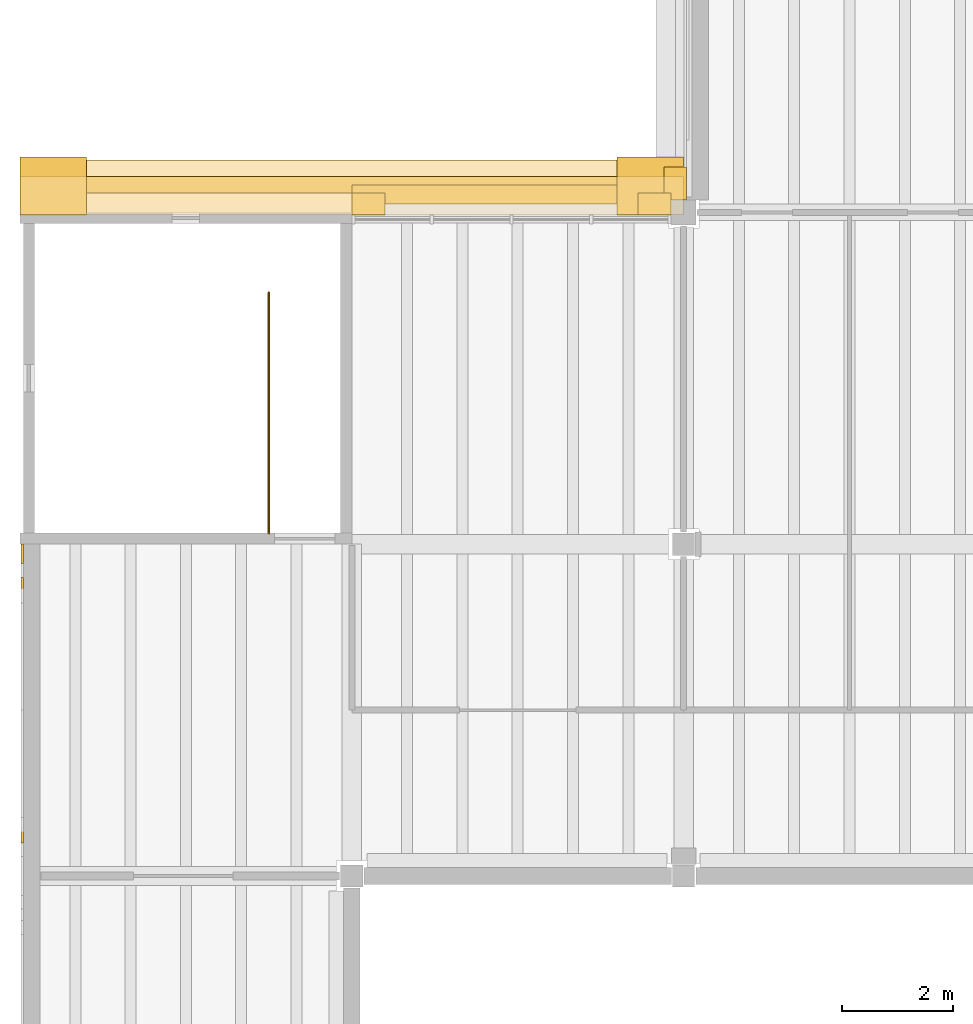
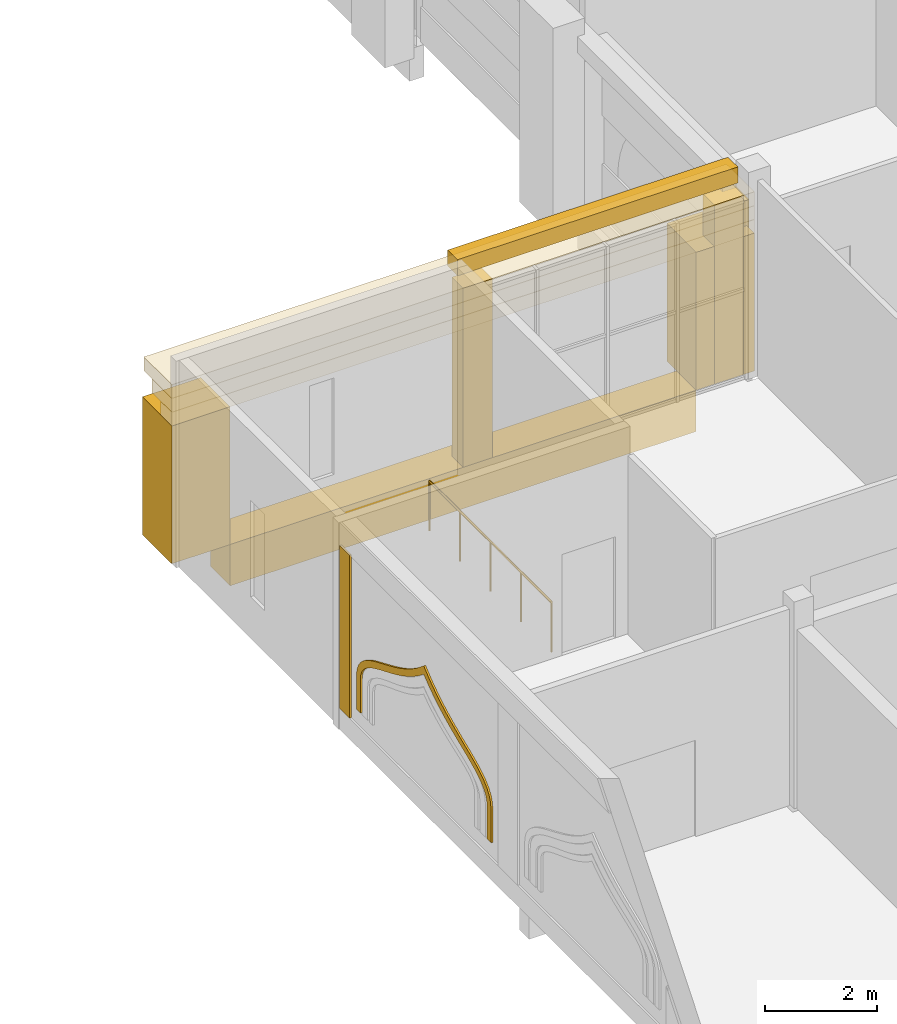
# One storey, part 54 of 70: 12 coverings, 1 railing.
"""IFC4 building model written with IfcOpenShell, lengths in metres."""

from ifc_helpers import new_model, si_unit, direction, frame, origin, origin_2d, place, context, subcontext, project, spatial, polyline, rectangle, circle, outline, extrude, material, layer, layer_set, type_object, element, save


model = new_model("IFC4")

# Units and contexts
model_context = context("Model", 3, precision=1e-05, world=origin(), true_north=direction((0.0, 1.0)))
body_context = subcontext(model_context, "Body", "Model", "MODEL_VIEW")
ifc_project = project(units=[si_unit("LENGTHUNIT", "METRE"), si_unit("AREAUNIT", "SQUARE_METRE"), si_unit("VOLUMEUNIT", "CUBIC_METRE"), si_unit("PLANEANGLEUNIT", "RADIAN"), si_unit("MASSUNIT", "GRAM", prefix="KILO")], contexts=[model_context])

# Site, building, storey
site_placement = place(None, origin())
site = spatial("IfcSite", under=ifc_project, at=site_placement, CompositionType="ELEMENT")
building_placement = place(site_placement, origin())
building = spatial("IfcBuilding", under=site, at=building_placement, Name="Saffron Lane Theatres", CompositionType="ELEMENT")
storey_placement = place(building_placement, frame((0.0, 0.0, 12.0)))
storey = spatial("IfcBuildingStorey", under=building, at=storey_placement, Name="L02", CompositionType="ELEMENT", Elevation=12.0)

# Coverings
ifc_material_1 = material(Name="Masonry sandstone", Category="masonry")
ifc_layer_1 = layer(ifc_material_1, 0.64990234375)
ifc_layer_set_1 = layer_set([ifc_layer_1], Name="Masonry sandstone")
covering_type_1 = type_object("IfcCoveringType", Name="EX-BRESSUMMER BAND SANDSTONE 650", PredefinedType="CLADDING", material=ifc_layer_set_1)
covering_1_placement = place(storey_placement, frame((6.0, 30.300048828125, -0.89990234375), z_axis=(0.0, 0.0, 1.0), x_axis=(1.0, 0.0, 0.0)))
element("IfcCovering", 1, at=covering_1_placement, inside=storey, type_object=covering_type_1, Name="Rear bressummer band L02", PredefinedType="CLADDING", context=body_context, shape_type="SweptSolid", body=[
    extrude(rectangle(XDim=9.60009765625, YDim=0.699951171875, at=origin_2d()), origin(), (0.0, 0.0, 1.0), 0.89990234375),
])
ifc_material_2 = material(Name="Face brick cladding, pale buff", Category="masonry")
ifc_layer_2 = layer(ifc_material_2, 0.0400390625)
ifc_layer_set_2 = layer_set([ifc_layer_2], Name="Face brick cladding, pale buff")
covering_type_2 = type_object("IfcCoveringType", Name="EX-FACE BRICK SKIN PALE BUFF 40", PredefinedType="CLADDING", material=ifc_layer_set_2)
covering_2_placement = place(storey_placement, frame((0.0400390625, 23.824951171875, 0.4501953125), z_axis=(0.0, 0.0, 1.0), x_axis=(0.0, 1.0, 0.0)))
element("IfcCovering", 2, at=covering_2_placement, inside=storey, type_object=covering_type_2, Name="Face brick cladding, pale buff L02", PredefinedType="CLADDING", context=body_context, shape_type="SweptSolid", body=[
    extrude(rectangle(XDim=0.35009765625, YDim=0.0400390625, at=origin_2d()), origin(), (0.0, 0.0, 1.0), 3.550048828125),
])
ifc_material_3 = material(Name="Face brick cladding, pale buff", Category="masonry")
ifc_layer_3 = layer(ifc_material_3, 0.0400390625)
ifc_layer_set_3 = layer_set([ifc_layer_3], Name="Face brick cladding, pale buff")
covering_type_3 = type_object("IfcCoveringType", Name="EX-NICHE FRAME RING FACE BRICK PALE BUFF", PredefinedType="CLADDING", material=ifc_layer_set_3)
covering_3_placement = place(storey_placement, frame((0.06005859375, 18.615966796875, 1.6669921875), z_axis=(1.0, 0.0, 0.0), x_axis=(0.0, -0.1142904069, -0.993447383051)))
element("IfcCovering", 3, at=covering_3_placement, inside=storey, type_object=covering_type_3, Name="Court wall niche ring", PredefinedType="CLADDING", context=body_context, shape_type="SweptSolid", body=[
    extrude(outline(polyline([(0.0, 0.0), (0.1388492792656847, 0.0), (0.8630763021636411, 0.08331815307675605), (0.847087922487492, 0.22229406872328283), (0.1308647481346235, 0.1398967123818024), (0.018059635735685132, 0.13994393272720115), (-0.07944823113339494, 0.16509735216938015), (-0.1697464098118206, 0.21516379656807177), (-0.25646442775728656, 0.2875139512363002), (-0.34330478932492203, 0.38442512464988704), (-0.42803955276364053, 0.5014843608933854), (-0.5132529587943554, 0.6376571051266956), (-0.6022203822842709, 0.789371782134203), (-0.6947465027137829, 0.9549306058608893), (-0.7943492358150984, 1.1307340981597673), (-0.9030912521304082, 1.3133501984720835), (-1.022371990986984, 1.5021264074795997), (-1.1551684805242837, 1.6930339711680689), (-1.3039812526691044, 1.8843107121023825), (-1.4706304370986343, 2.0725524726551585), (-1.6146932717722082, 2.2139967245384384), (-1.5065136068430107, 2.3844600250485852), (-1.3869645705693967, 2.605627244620307), (-1.2854751700314675, 2.8256998107305122), (-1.1994997993363636, 3.0417758185165145), (-1.1262030913808239, 3.252706955033389), (-1.061770930084231, 3.4552457483453045), (-1.0046922643938252, 3.649074534310487), (-0.9521789475517439, 3.831319310997622), (-0.8999875876101086, 3.9992734940636265), (-0.8479228640493154, 4.151239297453482), (-0.7919839257864885, 4.284482233892733), (-0.7294191145124824, 4.398581613031465), (-0.6613960605862484, 4.488733837915022), (-0.5848261241428409, 4.557997499097641), (-0.4955775249598693, 4.604636175696251), (-0.3857301232863616, 4.630298287041135), (0.33049305106650684, 4.712695643382615), (0.31450467139035776, 4.851671559029142), (-0.4097223515075986, 4.768353405952386), (-0.5449442496949248, 4.736823093502039), (-0.6644868468305303, 4.673674467048558), (-0.7650833535645557, 4.584689872523952), (-0.8479915481880772, 4.474393877569155), (-0.9177252664453477, 4.345707704460883), (-0.9785837061469898, 4.201823019272224), (-1.033719898538038, 4.042377083895339), (-1.0865186838318481, 3.871158257858812), (-1.1389203889484416, 3.6879433177116665), (-1.1964927218861978, 3.496269496600136), (-1.2590489476428586, 3.2966497791855978), (-1.3308796785117007, 3.090065060824744), (-1.4143716883146977, 2.8801727719066417), (-1.511819456562361, 2.6676919495089537), (-1.627195931406195, 2.4551145400411314), (-1.7934458892791718, 2.193432264117283), (-1.5721155448778907, 1.9763388725258717), (-1.4114805153486925, 1.7955149989593715), (-1.2683277455137127, 1.6107138844826954), (-1.1393539575743754, 1.4252645634464545), (-1.0224878954711447, 1.2403883256930075), (-0.9162356791859507, 1.060189048513373), (-0.8166415316019806, 0.8865963269308906), (-0.7240037994469805, 0.7200673397441939), (-0.6337034743892186, 0.5653112432171397), (-0.5438002295086733, 0.4225512608007041), (-0.4518579242586367, 0.2962454223763961), (-0.35472352739407403, 0.18675646605205173), (-0.24893492904552242, 0.09816895170466257), (-0.1307595755471445, 0.03435280127758979), (0.0, 0.0)])), origin(), (0.0, 0.0, -1.0), 0.0400390625),
])
ifc_material_4 = material(Name="Masonry sandstone", Category="masonry")
ifc_layer_4 = layer(ifc_material_4, 0.39990234375)
ifc_layer_set_4 = layer_set([ifc_layer_4], Name="Masonry sandstone")
covering_type_4 = type_object("IfcCoveringType", Name="EX-PILASTER PIER SANDSTONE 400", PredefinedType="CLADDING", material=ifc_layer_set_4)
for number, where, z_axis, x_axis, name in (
    (4, (6.300048828125, 30.14990234375, 0.0), (0.0, 0.0, 1.0), (1.0, 0.0, 0.0), "Pilaster pier L02"),
    (5, (11.47509765625, 30.14990234375, 0.0), (0.0, 0.0, 1.0), (1.0, 0.0, 0.0), "Pilaster pier L02"),
):
    element("IfcCovering", number, at=place(storey_placement, frame(where, z_axis=z_axis, x_axis=x_axis)), inside=storey, type_object=covering_type_4, Name=name, PredefinedType="CLADDING", context=body_context, shape_type="SweptSolid", body=[
        extrude(rectangle(XDim=0.60009765625, YDim=0.39990234375, at=origin_2d()), origin(), (0.0, 0.0, 1.0), 3.89990234375),
    ])
covering_4_placement = place(storey_placement, frame((11.85009765625, 30.52490234375, 0.0), z_axis=(0.0, 0.0, 1.0), x_axis=(0.0, 1.0, 0.0)))
element("IfcCovering", 6, at=covering_4_placement, inside=storey, type_object=covering_type_4, Name="Pilaster pier L02", PredefinedType="CLADDING", context=body_context, shape_type="SweptSolid", body=[
    extrude(rectangle(XDim=0.60009765625, YDim=0.39990234375, at=origin_2d()), origin(), (0.0, 0.0, 1.0), 3.550048828125),
])
ifc_material_5 = material(Name="Masonry sandstone", Category="masonry")
ifc_layer_5 = layer(ifc_material_5, 1.199951171875)
ifc_layer_set_5 = layer_set([ifc_layer_5], Name="Masonry sandstone")
covering_type_5 = type_object("IfcCoveringType", Name="EX-REAR BUTTRESS PIER SANDSTONE 1200", PredefinedType="CLADDING", material=ifc_layer_set_5)
for number, where, z_axis, x_axis, name in (
    (7, (0.60009765625, 30.47509765625, 0.0), (0.0, 0.0, 1.0), (1.0, 0.0, 0.0), "Rear buttress pier L02"),
    (8, (11.39990234375, 30.47509765625, 0.0), (0.0, 0.0, 1.0), (1.0, 0.0, 0.0), "Rear buttress pier L02"),
):
    element("IfcCovering", number, at=place(storey_placement, frame(where, z_axis=z_axis, x_axis=x_axis)), inside=storey, type_object=covering_type_5, Name=name, PredefinedType="CLADDING", context=body_context, shape_type="SweptSolid", body=[
        extrude(rectangle(XDim=1.199951171875, YDim=1.050048828125, at=origin_2d()), origin(), (0.0, 0.0, 1.0), 3.0),
    ])
ifc_material_6 = material(Name="Masonry sandstone", Category="masonry")
ifc_layer_6 = layer(ifc_material_6, 0.949951171875)
ifc_layer_set_6 = layer_set([ifc_layer_6], Name="Masonry sandstone")
covering_type_6 = type_object("IfcCoveringType", Name="EX-REAR EAVES COURSE SANDSTONE 950", PredefinedType="CLADDING", material=ifc_layer_set_6)
covering_5_placement = place(storey_placement, frame((6.0, 30.14990234375, 3.0), z_axis=(0.0, 0.0, 1.0), x_axis=(1.0, 0.0, 0.0)))
element("IfcCovering", 9, at=covering_5_placement, inside=storey, type_object=covering_type_6, Name="Rear eaves course L02", PredefinedType="CLADDING", context=body_context, shape_type="SweptSolid", body=[
    extrude(rectangle(XDim=12.0, YDim=0.39990234375, at=origin_2d()), origin(), (0.0, 0.0, 1.0), 0.300048828125),
])
covering_6_placement = place(storey_placement, frame((6.0, 30.300048828125, 3.2998046875), z_axis=(0.0, 0.0, 1.0), x_axis=(1.0, 0.0, 0.0)))
element("IfcCovering", 10, at=covering_6_placement, inside=storey, type_object=covering_type_6, Name="Rear eaves course L02", PredefinedType="CLADDING", context=body_context, shape_type="SweptSolid", body=[
    extrude(rectangle(XDim=12.0, YDim=0.699951171875, at=origin_2d()), origin(), (0.0, 0.0, 1.0), 0.300048828125),
])
covering_7_placement = place(storey_placement, frame((6.0, 30.449951171875, 3.60009765625), z_axis=(0.0, 0.0, 1.0), x_axis=(1.0, 0.0, 0.0)))
element("IfcCovering", 11, at=covering_7_placement, inside=storey, type_object=covering_type_6, Name="Rear eaves course L02", PredefinedType="CLADDING", context=body_context, shape_type="SweptSolid", body=[
    extrude(rectangle(XDim=12.0, YDim=1.0, at=origin_2d()), origin(), (0.0, 0.0, 1.0), 0.300048828125),
])
ifc_material_7 = material(Name="Masonry sandstone", Category="masonry")
ifc_layer_7 = layer(ifc_material_7, 0.300048828125)
ifc_layer_set_7 = layer_set([ifc_layer_7], Name="Masonry sandstone")
covering_type_7 = type_object("IfcCoveringType", Name="EX-STRING COURSE SANDSTONE 350", PredefinedType="CLADDING", material=ifc_layer_set_7)
covering_8_placement = place(storey_placement, frame((8.886962890625, 30.324951171875, 4.050048828125), z_axis=(0.0, 0.0, 1.0), x_axis=(1.0, 0.0, 0.0)))
element("IfcCovering", 12, at=covering_8_placement, inside=storey, type_object=covering_type_7, Name="String course L02", PredefinedType="CLADDING", context=body_context, shape_type="SweptSolid", body=[
    extrude(rectangle(XDim=5.77490234375, YDim=0.35009765625, at=origin_2d()), origin(), (0.0, 0.0, 1.0), 0.35009765625),
])

# Railing
ifc_material_8 = material(Name="Steel Grade 350", Category="steel")
railing_type = type_object("IfcRailingType", Name="VC-GUARD 1100", PredefinedType="GUARDRAIL", material=ifc_material_8)
railing_placement = place(storey_placement, frame((4.5, 24.199951171875, 0.0)))
element("IfcRailing", 13, at=railing_placement, inside=storey, type_object=railing_type, Name="Workshop North Stair guard L02", PredefinedType="GUARDRAIL", context=body_context, shape_type="SweptSolid", body=[
    extrude(circle(Radius=0.02392578125, at=origin_2d()), frame((0.0, 0.0, 1.076171875), z_axis=(0.0, 1.0, 0.0), x_axis=(-1.0, 0.0, 0.0)), (0.0, 0.0, 1.0), 4.35009765625),
    extrude(circle(Radius=0.02099609375, at=origin_2d()), origin(), (0.0, 0.0, 1.0), 1.052001953125),
    extrude(circle(Radius=0.02099609375, at=origin_2d()), frame((0.0, 1.08740234375, 0.0)), (0.0, 0.0, 1.0), 1.052001953125),
    extrude(circle(Radius=0.02099609375, at=origin_2d()), frame((0.0, 2.175048828125, 0.0)), (0.0, 0.0, 1.0), 1.052001953125),
    extrude(circle(Radius=0.02099609375, at=origin_2d()), frame((0.0, 3.2626953125, 0.0)), (0.0, 0.0, 1.0), 1.052001953125),
    extrude(circle(Radius=0.02099609375, at=origin_2d()), frame((0.0, 4.35009765625, 0.0)), (0.0, 0.0, 1.0), 1.052001953125),
])

save(model, "model.ifc")
